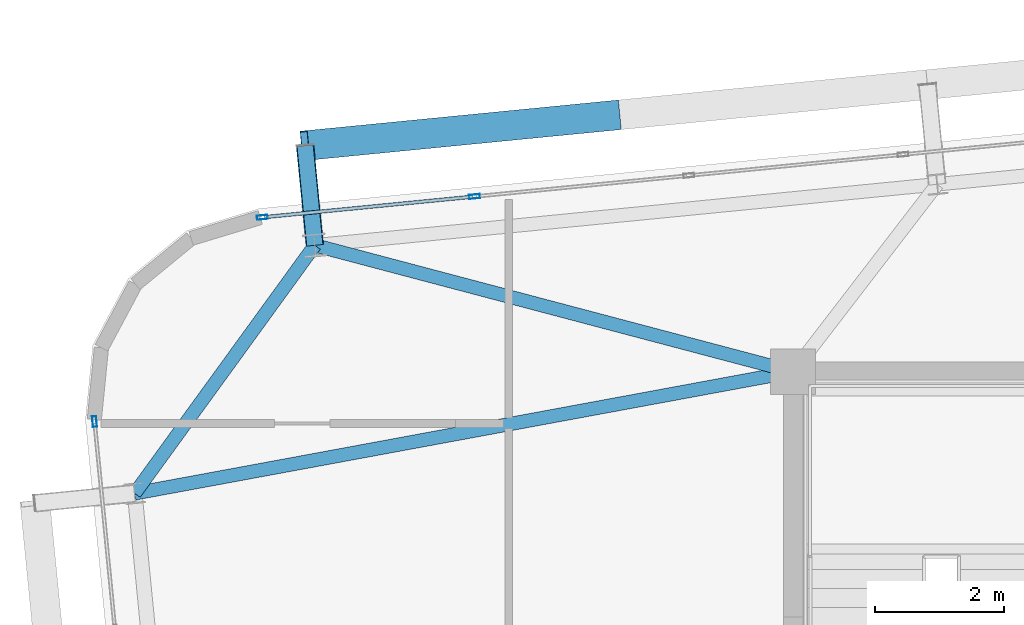
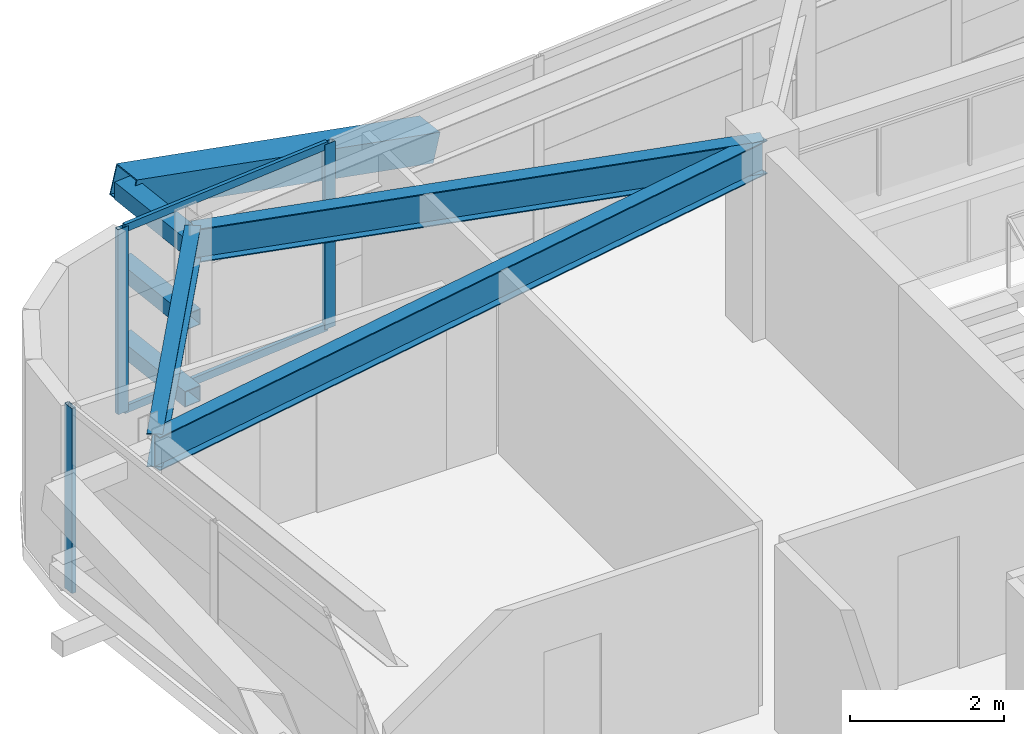
# One storey, part 27 of 52: 9 members, 3 beams, 2 elements without a shape of their own.
"""IFC4 building model written with IfcOpenShell, lengths in metres."""

from ifc_helpers import new_model, si_unit, direction, frame, origin, origin_2d, place, context, subcontext, project, spatial, hollow_rectangle, i_section, extrude, source, transform, mapped, material, layer, layer_set, material_profile, profile_set, type_object, element, aggregate, save


model = new_model("IFC4")

# Units and contexts
model_context = context("Model", 3, precision=1e-05, world=origin(), true_north=direction((0.0, 1.0)))
body_context = subcontext(model_context, "Body", "Model", "MODEL_VIEW")
ifc_project = project(units=[si_unit("LENGTHUNIT", "METRE"), si_unit("AREAUNIT", "SQUARE_METRE"), si_unit("VOLUMEUNIT", "CUBIC_METRE"), si_unit("PLANEANGLEUNIT", "RADIAN"), si_unit("MASSUNIT", "GRAM", prefix="KILO")], contexts=[model_context])

# Site, building, storey
site_placement = place(None, origin())
site = spatial("IfcSite", under=ifc_project, at=site_placement, CompositionType="ELEMENT")
building_placement = place(site_placement, origin())
building = spatial("IfcBuilding", under=site, at=building_placement, Name="Taldren Reach Tower", CompositionType="ELEMENT")
storey_placement = place(building_placement, frame((0.0, 0.0, 96.60009765625)))
storey = spatial("IfcBuildingStorey", under=building, at=storey_placement, Name="L29", CompositionType="ELEMENT", Elevation=96.60009765625)

# Beams
ifc_material_1 = material(Name="Steel Gr 350 (350PLUS)", Category="steel")
ifc_material_profile_1 = material_profile(ifc_material_1, i_section(OverallWidth=0.208984375, OverallDepth=0.528076171875, WebThickness=0.009521484375, FlangeThickness=0.01318359375, at=origin_2d()), Name="530UB82.0")
ifc_profile_set_1 = profile_set([ifc_material_profile_1], Name="Steel Gr 350 (350PLUS)")
beam_type_1 = type_object("IfcBeamType", Name="SP-UB530B", PredefinedType="SPANDREL", material=ifc_profile_set_1)
shared_shape_1 = source(origin(), body_context, "Body", "SweptSolid", [
    extrude(i_section(OverallWidth=0.208984375, OverallDepth=0.528076171875, WebThickness=0.009521484375, FlangeThickness=0.01318359375, at=origin_2d()), origin(), (0.0, 0.0, 1.0), 4.74609375),
])
beam_1_placement = place(storey_placement, frame((11.596923828125, 33.956787109375, 2.666015625), z_axis=(-0.587565912237, -0.809176308833, 0.0), x_axis=(0.809176308833, -0.587565912237, 0.0)))
element("IfcBeam", 1, at=beam_1_placement, inside=storey, type_object=beam_type_1, Name="Perimeter spandrel B2 N1-W3 L29", PredefinedType="SPANDREL", context=body_context, shape_type="MappedRepresentation", body=[
    mapped(shared_shape_1, transform((0.0, 0.0, 0.0), scale=1.0)),
])
ifc_material_profile_2 = material_profile(ifc_material_1, i_section(OverallWidth=0.208984375, OverallDepth=0.532958984375, WebThickness=0.01025390625, FlangeThickness=0.015625, at=origin_2d()), Name="530UB92.4")
ifc_profile_set_2 = profile_set([ifc_material_profile_2], Name="Steel Gr 350 (350PLUS)")
beam_type_2 = type_object("IfcBeamType", Name="BM-UB530A", PredefinedType="BEAM", material=ifc_profile_set_2)
shared_shape_2 = source(origin(), body_context, "Body", "SweptSolid", [
    extrude(i_section(OverallWidth=0.208984375, OverallDepth=0.532958984375, WebThickness=0.01025390625, FlangeThickness=0.015625, at=origin_2d()), origin(), (0.0, 0.0, 1.0), 7.6572265625),
])
beam_2_placement = place(storey_placement, frame((19.0, 32.0, 2.663330078125), z_axis=(-0.966797258245, 0.255544636904, 0.0), x_axis=(-0.255544636904, -0.966797258245, 0.0)))
element("IfcBeam", 2, at=beam_2_placement, inside=storey, type_object=beam_type_2, Name="Primary floor girder B2-N1 L29", PredefinedType="BEAM", context=body_context, shape_type="MappedRepresentation", body=[
    mapped(shared_shape_2, transform((0.0, 0.0, 0.0), scale=1.0)),
])
shared_shape_3 = source(origin(), body_context, "Body", "SweptSolid", [
    extrude(i_section(OverallWidth=0.208984375, OverallDepth=0.532958984375, WebThickness=0.01025390625, FlangeThickness=0.015625, at=origin_2d()), origin(), (0.0, 0.0, 1.0), 10.3642578125),
])
beam_3_placement = place(storey_placement, frame((19.0, 32.0, 2.663330078125), z_axis=(-0.983347548213, -0.181734970283, 0.0), x_axis=(0.181734970283, -0.983347548213, 0.0)))
element("IfcBeam", 3, at=beam_3_placement, inside=storey, type_object=beam_type_2, Name="Primary floor girder B2-W3 L29", PredefinedType="BEAM", context=body_context, shape_type="MappedRepresentation", body=[
    mapped(shared_shape_3, transform((0.0, 0.0, 0.0), scale=1.0)),
])

# Members
ifc_material_2 = material(Name="Steel Gr 450 (C450L0)", Category="steel")
ifc_material_profile_3 = material_profile(ifc_material_2, hollow_rectangle(XDim=0.27490234375, YDim=0.27490234375, WallThickness=0.00927734375, at=origin_2d()), Name="275x275x9.3SHS")
ifc_profile_set_3 = profile_set([ifc_material_profile_3], Name="Steel Gr 450 (C450L0)")
member_type_1 = type_object("IfcMemberType", Name="MB-TIE273", PredefinedType="STRUT", material=ifc_profile_set_3)
shared_shape_4 = source(origin(), body_context, "Body", "SweptSolid", [
    extrude(hollow_rectangle(XDim=0.27490234375, YDim=0.27490234375, WallThickness=0.00927734375, at=origin_2d()), origin(), (0.0, 0.0, 1.0), 1.550048828125),
])
member_1_placement = place(storey_placement, frame((11.596923828125, 33.956787109375, 2.64990234375), z_axis=(-0.097647892962, 0.9952210252, 0.0), x_axis=(-0.9952210252, -0.097647892962, 0.0)))
element("IfcMember", 4, at=member_1_placement, inside=storey, type_object=member_type_1, Name="Exoskeleton diaphragm tie strut B2-N1 L29", PredefinedType="STRUT", context=body_context, shape_type="MappedRepresentation", body=[
    mapped(shared_shape_4, transform((0.0, 0.0, 0.0), scale=1.0)),
])
ifc_material_profile_4 = material_profile(ifc_material_2, hollow_rectangle(XDim=0.4599609375, YDim=0.4599609375, WallThickness=0.01611328125, at=origin_2d()), Name="460x460x16.0SHS")
ifc_profile_set_4 = profile_set([ifc_material_profile_4], Name="Steel Gr 450 (C450L0)")
member_type_2 = type_object("IfcMemberType", Name="MB-EXO457", PredefinedType="BRACE", material=ifc_profile_set_4)
shared_shape_5 = source(origin(), body_context, "Body", "SweptSolid", [
    extrude(hollow_rectangle(XDim=0.4599609375, YDim=0.4599609375, WallThickness=0.01611328125, at=origin_2d()), origin(), (0.0, 0.0, 1.0), 4.990234375),
])
member_2_placement = place(storey_placement, frame((16.262451171875, 35.9716796875, 1.434814453125), z_axis=(-0.965275526283, -0.094619506732, 0.243496010862), x_axis=(0.097555749586, -0.995230061706, 0.0)))
element("IfcMember", 5, at=member_2_placement, inside=storey, type_object=member_type_2, Name="Exoskeleton Diagrid Brace B2-N1 L29", PredefinedType="BRACE", context=body_context, shape_type="MappedRepresentation", body=[
    mapped(shared_shape_5, transform((0.0, 0.0, 0.0), scale=1.0)),
])
ifc_material_3 = material(Name="Steel Gr 350 (C350L0)", Category="steel")
ifc_material_profile_5 = material_profile(ifc_material_3, hollow_rectangle(XDim=0.25, YDim=0.25, WallThickness=0.010009765625, at=origin_2d()), Name="250x250x10.0SHS")
ifc_profile_set_5 = profile_set([ifc_material_profile_5], Name="Steel Gr 350 (C350L0)")
member_type_3 = type_object("IfcMemberType", Name="MB-POST250", PredefinedType="POST", material=ifc_profile_set_5)
shared_shape_6 = source(origin(), body_context, "Body", "SweptSolid", [
    extrude(hollow_rectangle(XDim=0.25, YDim=0.25, WallThickness=0.010009765625, at=origin_2d()), origin(), (0.0, 0.0, 1.0), 1.550048828125),
])
for number, where, z_axis, x_axis, name in (
    (6, (11.596923828125, 33.956787109375, 0.219970703125), (-0.097647892962, 0.9952210252, 0.0), (-0.9952210252, -0.097647892962, 0.0), "Exoskeleton base diaphragm tie strut B2-N1 L29"),
    (7, (11.596923828125, 33.956787109375, 1.434814453125), (-0.097647892962, 0.9952210252, 0.0), (-0.9952210252, -0.097647892962, 0.0), "Exoskeleton mid-tier diaphragm tie B2-N1 L29"),
):
    element("IfcMember", number, at=place(storey_placement, frame(where, z_axis=z_axis, x_axis=x_axis)), inside=storey, type_object=member_type_3, Name=name, PredefinedType="POST", context=body_context, shape_type="MappedRepresentation", body=[
        mapped(shared_shape_6, transform((0.0, 0.0, 0.0), scale=1.0)),
    ])

# Curtain wall, members
ifc_material_4 = material(Name="Aluminium and Low-E Glass Unitised System", Category="aluminium")
ifc_layer = layer(ifc_material_4, 0.159912109375)
ifc_layer_set = layer_set([ifc_layer], Name="Aluminium and Low-E Glass Unitised System")
curtain_wall_type = type_object("IfcCurtainWallType", Name="CW-SYS-3", PredefinedType="NOTDEFINED", material=ifc_layer_set)
curtain_wall_1_placement = place(storey_placement, origin())
curtain_wall_1 = element("IfcCurtainWall", 8, at=curtain_wall_1_placement, inside=storey, type_object=curtain_wall_type, Name="Unitised curtain wall CW-L29-N", PredefinedType="NOTDEFINED")
ifc_material_5 = material(Name="Anodised Aluminium 6063-T6", Category="aluminium")
ifc_material_profile_6 = material_profile(ifc_material_5, hollow_rectangle(XDim=0.06494140625, YDim=0.1650390625, WallThickness=0.00390625, at=origin_2d()), Name="ALU-165x65x4RHS")
ifc_profile_set_6 = profile_set([ifc_material_profile_6], Name="Anodised Aluminium 6063-T6")
member_type_4 = type_object("IfcMemberType", Name="CW-MUL-165", PredefinedType="MULLION", material=ifc_profile_set_6)
shared_shape_7 = source(origin(), body_context, "Body", "SweptSolid", [
    extrude(hollow_rectangle(XDim=0.06494140625, YDim=0.1650390625, WallThickness=0.00390625, at=origin_2d()), origin(), (0.0, 0.0, 1.0), 2.929931640625),
])
member_3_placement = place(storey_placement, frame((14.068359375, 34.711669921875, 0.0), z_axis=(0.0, 0.0, 1.0), x_axis=(0.097582999046, -0.995227390247, 0.0)))
member_3 = element("IfcMember", 9, at=member_3_placement, type_object=member_type_4, Name="CW-3 mullion 15", PredefinedType="MULLION", context=body_context, shape_type="MappedRepresentation", body=[
    mapped(shared_shape_7, transform((0.0, 0.0, 0.0), scale=1.0)),
])
member_4_placement = place(storey_placement, frame((10.783203125, 34.3896484375, 0.0), z_axis=(0.0, 0.0, 1.0), x_axis=(0.097582999046, -0.995227390247, 0.0)))
member_4 = element("IfcMember", 10, at=member_4_placement, type_object=member_type_4, Name="CW-3 mullion 16", PredefinedType="MULLION", context=body_context, shape_type="MappedRepresentation", body=[
    mapped(shared_shape_7, transform((0.0, 0.0, 0.0), scale=1.0)),
])

# Curtain wall, member
curtain_wall_2_placement = place(storey_placement, origin())
curtain_wall_2 = element("IfcCurtainWall", 11, at=curtain_wall_2_placement, inside=storey, type_object=curtain_wall_type, Name="Unitised curtain wall CW-L29-W", PredefinedType="NOTDEFINED")
member_5_placement = place(storey_placement, frame((8.186767578125, 31.228515625, 0.0), z_axis=(0.0, 0.0, 1.0), x_axis=(0.99522741555, 0.09758274098, 0.0)))
member_5 = element("IfcMember", 12, at=member_5_placement, type_object=member_type_4, Name="CW-3 mullion 1", PredefinedType="MULLION", context=body_context, shape_type="MappedRepresentation", body=[
    mapped(shared_shape_7, transform((0.0, 0.0, 0.0), scale=1.0)),
])
aggregate(curtain_wall_2, [member_5])

# Member
ifc_material_profile_7 = material_profile(ifc_material_5, hollow_rectangle(XDim=0.054931640625, YDim=0.1201171875, WallThickness=0.0029296875, at=origin_2d()), Name="ALU-120x55x3RHS")
ifc_profile_set_7 = profile_set([ifc_material_profile_7], Name="Anodised Aluminium 6063-T6")
member_type_5 = type_object("IfcMemberType", Name="CW-TRN-135", PredefinedType="USERDEFINED", material=ifc_profile_set_7)
shared_shape_8 = source(origin(), body_context, "Body", "SweptSolid", [
    extrude(hollow_rectangle(XDim=0.054931640625, YDim=0.1201171875, WallThickness=0.0029296875, at=origin_2d()), origin(), (0.0, 0.0, 1.0), 3.235595703125),
])
member_6_placement = place(storey_placement, frame((14.035888671875, 34.70849609375, 0.02734375), z_axis=(-0.995229530729, -0.09756116628, 0.0), x_axis=(0.09756116628, -0.995229530729, 0.0)))
member_6 = element("IfcMember", 13, at=member_6_placement, type_object=member_type_5, Name="CW-3 transom 15.1", ObjectType="TRANSOM", PredefinedType="USERDEFINED", context=body_context, shape_type="MappedRepresentation", body=[
    mapped(shared_shape_8, transform((0.0, 0.0, 0.0), scale=1.0)),
])

member_7_placement = place(storey_placement, frame((14.035888671875, 34.70849609375, 2.90234375), z_axis=(-0.995229530729, -0.09756116628, 0.0), x_axis=(0.09756116628, -0.995229530729, 0.0)))
member_7 = element("IfcMember", 14, at=member_7_placement, type_object=member_type_5, Name="CW-3 transom 15.2", ObjectType="TRANSOM", PredefinedType="USERDEFINED", context=body_context, shape_type="MappedRepresentation", body=[
    mapped(shared_shape_8, transform((0.0, 0.0, 0.0), scale=1.0)),
])

aggregate(curtain_wall_1, [member_3, member_4, member_6, member_7])

save(model, "model.ifc")
